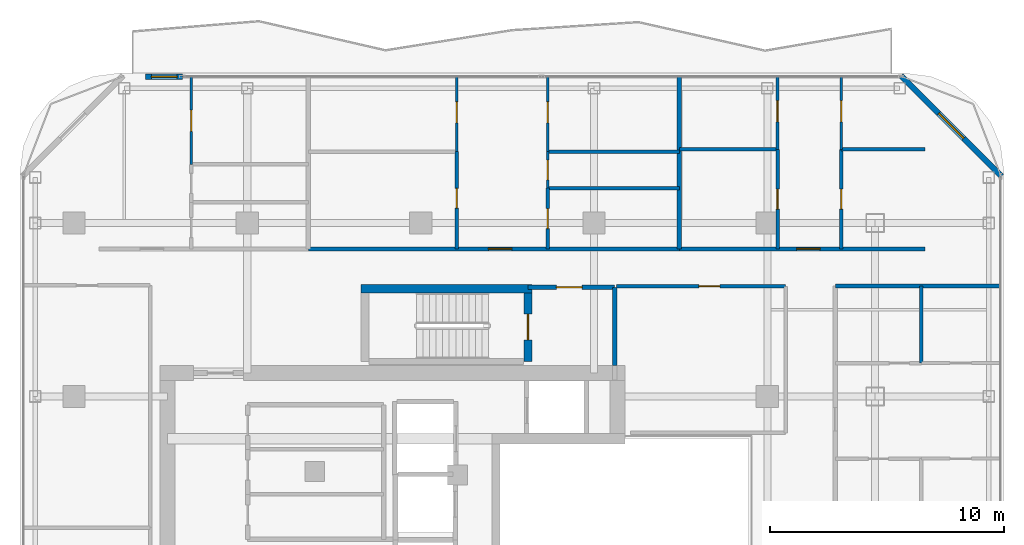
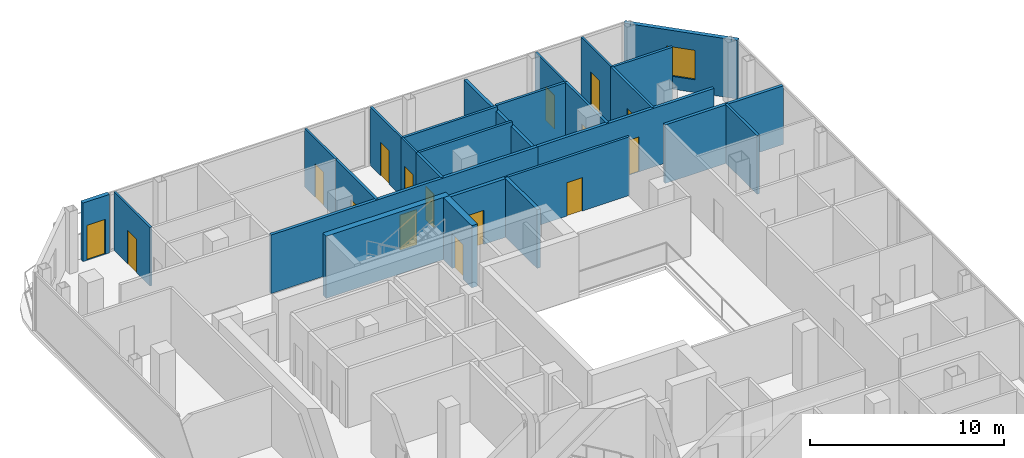
# One storey, part 19 of 23: 26 walls, 16 doors, 1 window, 17 openings.
"""IFC4 building model written with IfcOpenShell, lengths in metres."""

from ifc_helpers import new_model, si_unit, direction, frame, frame_2d, origin, place, context, subcontext, project, spatial, rectangle, extrude, material, layer, layer_set, type_object, element, fill, save


model = new_model("IFC4")

# Units and contexts
model_context = context("Model", 3, precision=1e-05, world=origin(), true_north=direction((0.0, 1.0)))
body_context = subcontext(model_context, "Body", "Model", "MODEL_VIEW")
ifc_project = project(units=[si_unit("LENGTHUNIT", "METRE"), si_unit("AREAUNIT", "SQUARE_METRE"), si_unit("VOLUMEUNIT", "CUBIC_METRE"), si_unit("PLANEANGLEUNIT", "RADIAN"), si_unit("MASSUNIT", "GRAM", prefix="KILO")], contexts=[model_context])

# Site, building, storey
site_placement = place(None, origin())
site = spatial("IfcSite", under=ifc_project, at=site_placement, CompositionType="ELEMENT")
building_placement = place(site_placement, origin())
building = spatial("IfcBuilding", under=site, at=building_placement, Name="Khorvyn Point Tower", CompositionType="ELEMENT")
storey_placement = place(building_placement, frame((0.0, 0.0, 258.60009765625)))
storey = spatial("IfcBuildingStorey", under=building, at=storey_placement, Name="L63", CompositionType="ELEMENT", Elevation=258.60009765625)

# Wall, opening, door
ifc_material_1 = material(Name="Double acoustic gypsum on twin steel stud", Category="steel")
ifc_layer_1 = layer(ifc_material_1, 0.179931640625)
ifc_layer_set_1 = layer_set([ifc_layer_1], Name="Acoustic Double-Stud Apartment Demising Wall 180")
wall_type_1 = type_object("IfcWallType", Name="Acoustic Double-Stud Apartment Demising Wall 180", PredefinedType="PARTITIONING", material=ifc_layer_set_1)
wall_1_placement = place(storey_placement, frame((-4.79296875, 13.699951171875, 0.0), z_axis=(0.0, 0.0, 1.0), x_axis=(1.0, 0.0, 0.0)))
wall_1 = element("IfcWall", 1, at=wall_1_placement, inside=storey, type_object=wall_type_1, Name="Wall", PredefinedType="PARTITIONING", context=body_context, shape_type="SweptSolid", body=[
    extrude(rectangle(XDim=15.8349609375, YDim=0.179931640625, at=frame_2d((7.91748046875, 0.0))), origin(), (0.0, 0.0, 1.0), 3.679931640625),
])
opening_1_placement = place(wall_1_placement, frame((7.686279296875, 0.0, 0.0)))
opening_1 = element("IfcOpeningElement", 2, at=opening_1_placement, cuts=wall_1, Name="Opening ID-AP60", PredefinedType="OPENING", context=body_context, shape_type="SweptSolid", body=[
    extrude(rectangle(XDim=1.0, YDim=2.199951171875, at=frame_2d((0.5, 1.10009765625))), frame((0.0, 0.099853515625, 0.0), z_axis=(0.0, -1.0, 0.0), x_axis=(1.0, 0.0, 0.0)), (0.0, 0.0, 1.0), 0.199951171875),
])
ifc_material_2 = material(Name="Engineered hardwood fire-rated leaf", Category="wood")
door_type_1 = type_object("IfcDoorType", Name="Acoustic Solid-Core Timber Apartment Entrance Door 1000x2200", OperationType="NOTDEFINED", PredefinedType="DOOR", material=ifc_material_2)
door_1_placement = place(opening_1_placement, origin())
door_1 = element("IfcDoor", 3, at=door_1_placement, inside=storey, type_object=door_type_1, Name="Door", OperationType="SINGLE_SWING_LEFT", OverallHeight=2.199951171875, OverallWidth=1.0, PredefinedType="DOOR", context=body_context, shape_type="SweptSolid", body=[
    extrude(rectangle(XDim=1.0, YDim=2.199951171875, at=frame_2d((0.5, 1.10009765625))), frame((0.0, 0.02490234375, 0.0), z_axis=(0.0, -1.0, 0.0), x_axis=(1.0, 0.0, 0.0)), (0.0, 0.0, 1.0), 0.050048828125),
])
fill(opening_1, door_1)

wall_2_placement = place(storey_placement, frame((11.0419921875, 13.699951171875, 0.0), z_axis=(0.0, 0.0, 1.0), x_axis=(1.0, 0.0, 0.0)))
wall_2 = element("IfcWall", 4, at=wall_2_placement, inside=storey, type_object=wall_type_1, Name="Wall", PredefinedType="PARTITIONING", context=body_context, shape_type="SweptSolid", body=[
    extrude(rectangle(XDim=10.47802734375, YDim=0.179931640625, at=frame_2d((5.239013671875, 0.0))), origin(), (0.0, 0.0, 1.0), 3.679931640625),
])
opening_2_placement = place(wall_2_placement, frame((5.00830078125, 0.0, 0.0)))
opening_2 = element("IfcOpeningElement", 5, at=opening_2_placement, cuts=wall_2, Name="Opening ID-AP60", PredefinedType="OPENING", context=body_context, shape_type="SweptSolid", body=[
    extrude(rectangle(XDim=1.0, YDim=2.199951171875, at=frame_2d((0.5, 1.10009765625))), frame((0.0, 0.099853515625, 0.0), z_axis=(0.0, -1.0, 0.0), x_axis=(1.0, 0.0, 0.0)), (0.0, 0.0, 1.0), 0.199951171875),
])
door_2_placement = place(opening_2_placement, origin())
door_2 = element("IfcDoor", 6, at=door_2_placement, inside=storey, type_object=door_type_1, Name="Door", OperationType="SINGLE_SWING_LEFT", OverallHeight=2.199951171875, OverallWidth=1.0, PredefinedType="DOOR", context=body_context, shape_type="SweptSolid", body=[
    extrude(rectangle(XDim=1.0, YDim=2.199951171875, at=frame_2d((0.5, 1.10009765625))), frame((0.0, 0.02490234375, 0.0), z_axis=(0.0, -1.0, 0.0), x_axis=(1.0, 0.0, 0.0)), (0.0, 0.0, 1.0), 0.050048828125),
])
fill(opening_2, door_2)

# Walls
wall_3_placement = place(storey_placement, frame((11.0419921875, 13.699951171875, 0.0), z_axis=(0.0, 0.0, 1.0), x_axis=(0.0, 1.0, 0.0)))
element("IfcWall", 7, at=wall_3_placement, inside=storey, type_object=wall_type_1, Name="Wall", PredefinedType="PARTITIONING", context=body_context, shape_type="SweptSolid", body=[
    extrude(rectangle(XDim=7.330078125, YDim=0.179931640625, at=frame_2d((3.6650390625, 0.0))), origin(), (0.0, 0.0, 1.0), 3.419921875),
])
wall_4_placement = place(storey_placement, frame((17.699951171875, 12.1201171875, 0.0), z_axis=(0.0, 0.0, 1.0), x_axis=(1.0, 0.0, 0.0)))
element("IfcWall", 8, at=wall_4_placement, inside=storey, type_object=wall_type_1, Name="Wall", PredefinedType="PARTITIONING", context=body_context, shape_type="SweptSolid", body=[
    extrude(rectangle(XDim=7.030029296875, YDim=0.179931640625, at=frame_2d((3.51513671875, 0.0))), origin(), (0.0, 0.0, 1.0), 3.679931640625),
])

# Wall, opening, door
ifc_material_3 = material(Name="Pale anodised aluminium rainscreen on steel stud", Category="steel")
ifc_layer_2 = layer(ifc_material_3, 0.239990234375)
ifc_layer_set_2 = layer_set([ifc_layer_2], Name="Anodised Aluminium Insulated Corner Spandrel Wall 240")
wall_type_2 = type_object("IfcWallType", Name="Anodised Aluminium Insulated Corner Spandrel Wall 240", PredefinedType="SOLIDWALL", material=ifc_layer_set_2)
wall_5_placement = place(storey_placement, frame((-11.73388671875, 21.050048828125, 0.0), z_axis=(0.0, 0.0, 1.0), x_axis=(1.0, 0.0, 0.0)))
wall_5 = element("IfcWall", 9, at=wall_5_placement, inside=storey, type_object=wall_type_2, Name="L63 North Outdoor Threshold Wall", PredefinedType="SOLIDWALL", context=body_context, shape_type="SweptSolid", body=[
    extrude(rectangle(XDim=1.579833984375, YDim=0.239990234375, at=frame_2d((0.7900390625, 0.0))), origin(), (0.0, 0.0, 1.0), 3.679931640625),
])
opening_3_placement = place(wall_5_placement, frame((0.239990234375, 0.0, 0.0)))
opening_3 = element("IfcOpeningElement", 10, at=opening_3_placement, cuts=wall_5, Name="Opening BD-1122", PredefinedType="OPENING", context=body_context, shape_type="SweptSolid", body=[
    extrude(rectangle(XDim=1.10009765625, YDim=2.199951171875, at=frame_2d((0.550048828125, 1.10009765625))), frame((0.0, 0.1298828125, 0.0), z_axis=(0.0, -1.0, 0.0), x_axis=(1.0, 0.0, 0.0)), (0.0, 0.0, 1.0), 0.260009765625),
])
ifc_material_4 = material(Name="Anodised aluminium 6063-T6 and laminated Low-E glass", Category="aluminium")
door_type_2 = type_object("IfcDoorType", Name="Glazed Balcony and Terrace Threshold Door 1100x2200", OperationType="NOTDEFINED", PredefinedType="DOOR", material=ifc_material_4)
door_3_placement = place(opening_3_placement, origin())
door_3 = element("IfcDoor", 11, at=door_3_placement, inside=storey, type_object=door_type_2, Name="L63 North Glazed Balcony Outdoor Door", OperationType="SINGLE_SWING_LEFT", OverallHeight=2.199951171875, OverallWidth=1.10009765625, PredefinedType="DOOR", context=body_context, shape_type="SweptSolid", body=[
    extrude(rectangle(XDim=1.10009765625, YDim=2.199951171875, at=frame_2d((0.550048828125, 1.10009765625))), frame((0.0, 0.02490234375, 0.0), z_axis=(0.0, -1.0, 0.0), x_axis=(1.0, 0.0, 0.0)), (0.0, 0.0, 1.0), 0.050048828125),
])
fill(opening_3, door_3)

# Wall, opening, window
wall_6_placement = place(storey_placement, frame((20.507568359375, 21.09228515625, 0.0), z_axis=(0.0, 0.0, 1.0), x_axis=(0.707126925818, -0.707086635981, 0.0)))
wall_6 = element("IfcWall", 12, at=wall_6_placement, inside=storey, type_object=wall_type_2, Name="L63 Rounded Corner Wall NE", PredefinedType="SOLIDWALL", context=body_context, shape_type="SweptSolid", body=[
    extrude(rectangle(XDim=6.0595703125, YDim=0.239990234375, at=frame_2d((3.02978515625, 0.0))), origin(), (0.0, 0.0, 1.0), 3.679931640625),
])
opening_4_placement = place(wall_6_placement, frame((2.27978515625, 0.0, 0.800048828125)))
opening_4 = element("IfcOpeningElement", 13, at=opening_4_placement, cuts=wall_6, Name="Opening WN-1518", PredefinedType="OPENING", context=body_context, shape_type="SweptSolid", body=[
    extrude(rectangle(XDim=1.5, YDim=1.85009765625, at=frame_2d((0.75, 0.925048828125))), frame((0.0, 0.1298828125, 0.0), z_axis=(0.0, -1.0, 0.0), x_axis=(1.0, 0.0, 0.0)), (0.0, 0.0, 1.0), 0.260009765625),
])
window_type = type_object("IfcWindowType", Name="Anodised Aluminium Rounded-Corner Panoramic Window 1500x1850", PartitioningType="SINGLE_PANEL", PredefinedType="WINDOW", material=ifc_material_4)
window_placement = place(opening_4_placement, origin())
window = element("IfcWindow", 14, at=window_placement, inside=storey, type_object=window_type, Name="L63 Corner Panoramic Window NE", OverallHeight=1.85009765625, OverallWidth=1.5, PartitioningType="SINGLE_PANEL", PredefinedType="WINDOW", context=body_context, shape_type="SweptSolid", body=[
    extrude(rectangle(XDim=1.5, YDim=1.85009765625, at=frame_2d((0.75, 0.925048828125))), frame((0.0, 0.030029296875, 0.0), z_axis=(0.0, -1.0, 0.0), x_axis=(1.0, 0.0, 0.0)), (0.0, 0.0, 1.0), 0.06005859375),
])
fill(opening_4, window)

# Wall, opening, door
ifc_material_5 = material(Name="Concrete C40/50", Category="concrete")
ifc_layer_3 = layer(ifc_material_5, 0.199951171875)
ifc_layer_set_3 = layer_set([ifc_layer_3], Name="Concrete C40/50 Fire-Lobby Compartment Wall 200")
wall_type_3 = type_object("IfcWallType", Name="Concrete C40/50 Fire-Lobby Compartment Wall 200", PredefinedType="SOLIDWALL", material=ifc_layer_set_3)
wall_7_placement = place(storey_placement, frame((4.580078125, 12.06005859375, 0.0), z_axis=(0.0, 0.0, 1.0), x_axis=(1.0, 0.0, 0.0)))
wall_7 = element("IfcWall", 15, at=wall_7_placement, inside=storey, type_object=wall_type_3, Name="Wall", PredefinedType="SOLIDWALL", context=body_context, shape_type="SweptSolid", body=[
    extrude(rectangle(XDim=3.699951171875, YDim=0.199951171875, at=frame_2d((1.85009765625, 0.0))), origin(), (0.0, 0.0, 1.0), 3.679931640625),
])
opening_5_placement = place(wall_7_placement, frame((1.21240234375, 0.0, 0.0)))
opening_5 = element("IfcOpeningElement", 16, at=opening_5_placement, cuts=wall_7, Name="Opening ID-FL90", PredefinedType="OPENING", context=body_context, shape_type="SweptSolid", body=[
    extrude(rectangle(XDim=1.10009765625, YDim=2.14990234375, at=frame_2d((0.550048828125, 1.074951171875))), frame((0.0, 0.10986328125, 0.0), z_axis=(0.0, -1.0, 0.0), x_axis=(1.0, 0.0, 0.0)), (0.0, 0.0, 1.0), 0.219970703125),
])
ifc_material_6 = material(Name="Galvanised powder-coated steel", Category="steel")
door_type_3 = type_object("IfcDoorType", Name="Fire-Rated Steel Lobby and Stair Door 1100x2150", OperationType="NOTDEFINED", PredefinedType="DOOR", material=ifc_material_6)
door_4_placement = place(opening_5_placement, origin())
door_4 = element("IfcDoor", 17, at=door_4_placement, inside=storey, type_object=door_type_3, Name="Door", OperationType="SINGLE_SWING_LEFT", OverallHeight=2.14990234375, OverallWidth=1.10009765625, PredefinedType="DOOR", context=body_context, shape_type="SweptSolid", body=[
    extrude(rectangle(XDim=1.10009765625, YDim=2.14990234375, at=frame_2d((0.550048828125, 1.074951171875))), frame((0.0, 0.02490234375, 0.0), z_axis=(0.0, -1.0, 0.0), x_axis=(1.0, 0.0, 0.0)), (0.0, 0.0, 1.0), 0.050048828125),
])
fill(opening_5, door_4)

# Walls
wall_8_placement = place(storey_placement, frame((8.280029296875, 8.72509765625, 0.0), z_axis=(0.0, 0.0, 1.0), x_axis=(0.0, 1.0, 0.0)))
element("IfcWall", 18, at=wall_8_placement, inside=storey, type_object=wall_type_3, Name="Wall", PredefinedType="SOLIDWALL", context=body_context, shape_type="SweptSolid", body=[
    extrude(rectangle(XDim=3.3349609375, YDim=0.199951171875, at=frame_2d((1.66748046875, 0.0))), origin(), (0.0, 0.0, 1.0), 3.679931640625),
])
ifc_layer_4 = layer(ifc_material_5, 0.35009765625)
ifc_layer_set_4 = layer_set([ifc_layer_4], Name="Concrete C40/50 Stair Shaft Structural Wall 350")
wall_type_4 = type_object("IfcWallType", Name="Concrete C40/50 Stair Shaft Structural Wall 350", PredefinedType="SHEAR", material=ifc_layer_set_4)
wall_9_placement = place(storey_placement, frame((-2.554931640625, 12.0, 0.0), z_axis=(0.0, 0.0, 1.0), x_axis=(1.0, 0.0, 0.0)))
element("IfcWall", 19, at=wall_9_placement, inside=storey, type_object=wall_type_4, Name="L63 ST-02 North Shaft Wall", PredefinedType="SHEAR", context=body_context, shape_type="SweptSolid", body=[
    extrude(rectangle(XDim=7.309814453125, YDim=0.35009765625, at=frame_2d((3.65478515625, 0.0))), origin(), (0.0, 0.0, 1.0), 3.89990234375),
])

# Wall, opening, door
wall_10_placement = place(storey_placement, frame((4.580078125, 11.824951171875, 0.0), z_axis=(0.0, 0.0, 1.0), x_axis=(0.0, -1.0, 0.0)))
wall_10 = element("IfcWall", 20, at=wall_10_placement, inside=storey, type_object=wall_type_4, Name="L63 ST-02 East Landing Door Wall", PredefinedType="SHEAR", context=body_context, shape_type="SweptSolid", body=[
    extrude(rectangle(XDim=2.925048828125, YDim=0.35009765625, at=frame_2d((1.46240234375, 0.0))), origin(), (0.0, 0.0, 1.0), 3.89990234375),
])
opening_6_placement = place(wall_10_placement, frame((0.91259765625, 0.0, 0.0)))
opening_6 = element("IfcOpeningElement", 21, at=opening_6_placement, cuts=wall_10, Name="Opening ID-FL90", PredefinedType="OPENING", context=body_context, shape_type="SweptSolid", body=[
    extrude(rectangle(XDim=1.10009765625, YDim=2.14990234375, at=frame_2d((0.550048828125, 1.074951171875))), frame((0.0, 0.18505859375, 0.0), z_axis=(0.0, -1.0, 0.0), x_axis=(1.0, 0.0, 0.0)), (0.0, 0.0, 1.0), 0.3701171875),
])
door_5_placement = place(opening_6_placement, origin())
door_5 = element("IfcDoor", 22, at=door_5_placement, inside=storey, type_object=door_type_3, Name="L63 ST-02 Smokeproof Landing Door", OperationType="SINGLE_SWING_RIGHT", OverallHeight=2.14990234375, OverallWidth=1.10009765625, PredefinedType="DOOR", context=body_context, shape_type="SweptSolid", body=[
    extrude(rectangle(XDim=1.10009765625, YDim=2.14990234375, at=frame_2d((0.550048828125, 1.074951171875))), frame((0.0, 0.02490234375, 0.0), z_axis=(0.0, -1.0, 0.0), x_axis=(1.0, 0.0, 0.0)), (0.0, 0.0, 1.0), 0.050048828125),
])
fill(opening_6, door_5)

ifc_material_7 = material(Name="Gypsum plasterboard on steel stud", Category="steel")
ifc_layer_5 = layer(ifc_material_7, 0.1201171875)
ifc_layer_set_5 = layer_set([ifc_layer_5], Name="Gypsum Acoustic Stud Room Partition Wall 120")
wall_type_5 = type_object("IfcWallType", Name="Gypsum Acoustic Stud Room Partition Wall 120", PredefinedType="PARTITIONING", material=ifc_layer_set_5)
wall_11_placement = place(storey_placement, frame((-9.7919921875, 17.303955078125, 0.0), z_axis=(0.0, 0.0, 1.0), x_axis=(0.0, 1.0, 0.0)))
wall_11 = element("IfcWall", 23, at=wall_11_placement, inside=storey, type_object=wall_type_5, Name="Wall", PredefinedType="PARTITIONING", context=body_context, shape_type="SweptSolid", body=[
    extrude(rectangle(XDim=3.72607421875, YDim=0.1201171875, at=frame_2d((1.863037109375, 0.0))), origin(), (0.0, 0.0, 1.0), 3.679931640625),
])
opening_7_placement = place(wall_11_placement, frame((1.4130859375, 0.0, 0.0)))
opening_7 = element("IfcOpeningElement", 24, at=opening_7_placement, cuts=wall_11, Name="Opening ID-RM90", PredefinedType="OPENING", context=body_context, shape_type="SweptSolid", body=[
    extrude(rectangle(XDim=0.89990234375, YDim=2.10009765625, at=frame_2d((0.449951171875, 1.050048828125))), frame((0.0, 0.070068359375, 0.0), z_axis=(0.0, -1.0, 0.0), x_axis=(1.0, 0.0, 0.0)), (0.0, 0.0, 1.0), 0.14013671875),
])
ifc_material_8 = material(Name="Engineered oak veneer timber", Category="wood")
door_type_4 = type_object("IfcDoorType", Name="Flush Engineered Timber Room Door 900x2100", OperationType="NOTDEFINED", PredefinedType="DOOR", material=ifc_material_8)
door_6_placement = place(opening_7_placement, origin())
door_6 = element("IfcDoor", 25, at=door_6_placement, inside=storey, type_object=door_type_4, Name="Door", OperationType="SINGLE_SWING_RIGHT", OverallHeight=2.10009765625, OverallWidth=0.89990234375, PredefinedType="DOOR", context=body_context, shape_type="SweptSolid", body=[
    extrude(rectangle(XDim=0.89990234375, YDim=2.10009765625, at=frame_2d((0.449951171875, 1.050048828125))), frame((0.0, 0.02490234375, 0.0), z_axis=(0.0, -1.0, 0.0), x_axis=(1.0, 0.0, 0.0)), (0.0, 0.0, 1.0), 0.050048828125),
])
fill(opening_7, door_6)

wall_12_placement = place(storey_placement, frame((1.541015625, 17.846923828125, 0.0), z_axis=(0.0, 0.0, 1.0), x_axis=(0.0, 1.0, 0.0)))
wall_12 = element("IfcWall", 26, at=wall_12_placement, inside=storey, type_object=wall_type_5, Name="Wall", PredefinedType="PARTITIONING", context=body_context, shape_type="SweptSolid", body=[
    extrude(rectangle(XDim=3.18310546875, YDim=0.1201171875, at=frame_2d((1.591552734375, 0.0))), origin(), (0.0, 0.0, 1.0), 3.679931640625),
])
opening_8_placement = place(wall_12_placement, frame((1.230712890625, 0.0, 0.0)))
opening_8 = element("IfcOpeningElement", 27, at=opening_8_placement, cuts=wall_12, Name="Opening ID-RM90", PredefinedType="OPENING", context=body_context, shape_type="SweptSolid", body=[
    extrude(rectangle(XDim=0.89990234375, YDim=2.10009765625, at=frame_2d((0.449951171875, 1.050048828125))), frame((0.0, 0.070068359375, 0.0), z_axis=(0.0, -1.0, 0.0), x_axis=(1.0, 0.0, 0.0)), (0.0, 0.0, 1.0), 0.14013671875),
])
door_7_placement = place(opening_8_placement, origin())
door_7 = element("IfcDoor", 28, at=door_7_placement, inside=storey, type_object=door_type_4, Name="Door", OperationType="SINGLE_SWING_LEFT", OverallHeight=2.10009765625, OverallWidth=0.89990234375, PredefinedType="DOOR", context=body_context, shape_type="SweptSolid", body=[
    extrude(rectangle(XDim=0.89990234375, YDim=2.10009765625, at=frame_2d((0.449951171875, 1.050048828125))), frame((0.0, 0.02490234375, 0.0), z_axis=(0.0, -1.0, 0.0), x_axis=(1.0, 0.0, 0.0)), (0.0, 0.0, 1.0), 0.050048828125),
])
fill(opening_8, door_7)

wall_13_placement = place(storey_placement, frame((5.428955078125, 16.2880859375, 0.0), z_axis=(0.0, 0.0, 1.0), x_axis=(0.0, 1.0, 0.0)))
wall_13 = element("IfcWall", 29, at=wall_13_placement, inside=storey, type_object=wall_type_5, Name="Wall", PredefinedType="PARTITIONING", context=body_context, shape_type="SweptSolid", body=[
    extrude(rectangle(XDim=1.558837890625, YDim=0.1201171875, at=frame_2d((0.779296875, 0.0))), origin(), (0.0, 0.0, 1.0), 3.679931640625),
])
opening_9_placement = place(wall_13_placement, frame((0.3544921875, 0.0, 0.0)))
opening_9 = element("IfcOpeningElement", 30, at=opening_9_placement, cuts=wall_13, Name="Opening ID-WC85", PredefinedType="OPENING", context=body_context, shape_type="SweptSolid", body=[
    extrude(rectangle(XDim=0.85009765625, YDim=2.10009765625, at=frame_2d((0.425048828125, 1.050048828125))), frame((0.0, 0.070068359375, 0.0), z_axis=(0.0, -1.0, 0.0), x_axis=(1.0, 0.0, 0.0)), (0.0, 0.0, 1.0), 0.14013671875),
])
ifc_material_9 = material(Name="High-pressure laminate on moisture-resistant core", Category="wood")
door_type_5 = type_object("IfcDoorType", Name="Moisture-Resistant Accessible Washroom Door 850x2100", OperationType="NOTDEFINED", PredefinedType="DOOR", material=ifc_material_9)
door_8_placement = place(opening_9_placement, origin())
door_8 = element("IfcDoor", 31, at=door_8_placement, inside=storey, type_object=door_type_5, Name="Door", OperationType="SINGLE_SWING_LEFT", OverallHeight=2.10009765625, OverallWidth=0.85009765625, PredefinedType="DOOR", context=body_context, shape_type="SweptSolid", body=[
    extrude(rectangle(XDim=0.85009765625, YDim=2.10009765625, at=frame_2d((0.425048828125, 1.050048828125))), frame((0.0, 0.02490234375, 0.0), z_axis=(0.0, -1.0, 0.0), x_axis=(1.0, 0.0, 0.0)), (0.0, 0.0, 1.0), 0.050048828125),
])
fill(opening_9, door_8)

wall_14_placement = place(storey_placement, frame((5.428955078125, 17.846923828125, 0.0), z_axis=(0.0, 0.0, 1.0), x_axis=(0.0, 1.0, 0.0)))
wall_14 = element("IfcWall", 32, at=wall_14_placement, inside=storey, type_object=wall_type_5, Name="Wall", PredefinedType="PARTITIONING", context=body_context, shape_type="SweptSolid", body=[
    extrude(rectangle(XDim=3.18310546875, YDim=0.1201171875, at=frame_2d((1.591552734375, 0.0))), origin(), (0.0, 0.0, 1.0), 3.679931640625),
])
opening_10_placement = place(wall_14_placement, frame((1.230712890625, 0.0, 0.0)))
opening_10 = element("IfcOpeningElement", 33, at=opening_10_placement, cuts=wall_14, Name="Opening ID-RM90", PredefinedType="OPENING", context=body_context, shape_type="SweptSolid", body=[
    extrude(rectangle(XDim=0.89990234375, YDim=2.10009765625, at=frame_2d((0.449951171875, 1.050048828125))), frame((0.0, 0.070068359375, 0.0), z_axis=(0.0, -1.0, 0.0), x_axis=(1.0, 0.0, 0.0)), (0.0, 0.0, 1.0), 0.14013671875),
])
door_9_placement = place(opening_10_placement, origin())
door_9 = element("IfcDoor", 34, at=door_9_placement, inside=storey, type_object=door_type_4, Name="Door", OperationType="SINGLE_SWING_RIGHT", OverallHeight=2.10009765625, OverallWidth=0.89990234375, PredefinedType="DOOR", context=body_context, shape_type="SweptSolid", body=[
    extrude(rectangle(XDim=0.89990234375, YDim=2.10009765625, at=frame_2d((0.449951171875, 1.050048828125))), frame((0.0, 0.02490234375, 0.0), z_axis=(0.0, -1.0, 0.0), x_axis=(1.0, 0.0, 0.0)), (0.0, 0.0, 1.0), 0.050048828125),
])
fill(opening_10, door_9)

wall_15_placement = place(storey_placement, frame((15.23291015625, 17.949951171875, 0.0), z_axis=(0.0, 0.0, 1.0), x_axis=(0.0, 1.0, 0.0)))
wall_15 = element("IfcWall", 35, at=wall_15_placement, inside=storey, type_object=wall_type_5, Name="Wall", PredefinedType="PARTITIONING", context=body_context, shape_type="SweptSolid", body=[
    extrude(rectangle(XDim=3.080078125, YDim=0.1201171875, at=frame_2d((1.5400390625, 0.0))), origin(), (0.0, 0.0, 1.0), 3.679931640625),
])
opening_11_placement = place(wall_15_placement, frame((1.174560546875, 0.0, 0.0)))
opening_11 = element("IfcOpeningElement", 36, at=opening_11_placement, cuts=wall_15, Name="Opening ID-RM90", PredefinedType="OPENING", context=body_context, shape_type="SweptSolid", body=[
    extrude(rectangle(XDim=0.89990234375, YDim=2.10009765625, at=frame_2d((0.449951171875, 1.050048828125))), frame((0.0, 0.070068359375, 0.0), z_axis=(0.0, -1.0, 0.0), x_axis=(1.0, 0.0, 0.0)), (0.0, 0.0, 1.0), 0.14013671875),
])
door_10_placement = place(opening_11_placement, origin())
door_10 = element("IfcDoor", 37, at=door_10_placement, inside=storey, type_object=door_type_4, Name="Door", OperationType="SINGLE_SWING_LEFT", OverallHeight=2.10009765625, OverallWidth=0.89990234375, PredefinedType="DOOR", context=body_context, shape_type="SweptSolid", body=[
    extrude(rectangle(XDim=0.89990234375, YDim=2.10009765625, at=frame_2d((0.449951171875, 1.050048828125))), frame((0.0, 0.02490234375, 0.0), z_axis=(0.0, -1.0, 0.0), x_axis=(1.0, 0.0, 0.0)), (0.0, 0.0, 1.0), 0.050048828125),
])
fill(opening_11, door_10)

wall_16_placement = place(storey_placement, frame((17.949951171875, 17.949951171875, 0.0), z_axis=(0.0, 0.0, 1.0), x_axis=(0.0, 1.0, 0.0)))
wall_16 = element("IfcWall", 38, at=wall_16_placement, inside=storey, type_object=wall_type_5, Name="Wall", PredefinedType="PARTITIONING", context=body_context, shape_type="SweptSolid", body=[
    extrude(rectangle(XDim=3.080078125, YDim=0.1201171875, at=frame_2d((1.5400390625, 0.0))), origin(), (0.0, 0.0, 1.0), 3.679931640625),
])
opening_12_placement = place(wall_16_placement, frame((1.174560546875, 0.0, 0.0)))
opening_12 = element("IfcOpeningElement", 39, at=opening_12_placement, cuts=wall_16, Name="Opening ID-RM90", PredefinedType="OPENING", context=body_context, shape_type="SweptSolid", body=[
    extrude(rectangle(XDim=0.89990234375, YDim=2.10009765625, at=frame_2d((0.449951171875, 1.050048828125))), frame((0.0, 0.070068359375, 0.0), z_axis=(0.0, -1.0, 0.0), x_axis=(1.0, 0.0, 0.0)), (0.0, 0.0, 1.0), 0.14013671875),
])
door_11_placement = place(opening_12_placement, origin())
door_11 = element("IfcDoor", 40, at=door_11_placement, inside=storey, type_object=door_type_4, Name="Door", OperationType="SINGLE_SWING_LEFT", OverallHeight=2.10009765625, OverallWidth=0.89990234375, PredefinedType="DOOR", context=body_context, shape_type="SweptSolid", body=[
    extrude(rectangle(XDim=0.89990234375, YDim=2.10009765625, at=frame_2d((0.449951171875, 1.050048828125))), frame((0.0, 0.02490234375, 0.0), z_axis=(0.0, -1.0, 0.0), x_axis=(1.0, 0.0, 0.0)), (0.0, 0.0, 1.0), 0.050048828125),
])
fill(opening_12, door_11)

ifc_material_10 = material(Name="Moisture-resistant gypsum and cement board", Category="gypsum")
ifc_layer_6 = layer(ifc_material_10, 0.14990234375)
ifc_layer_set_6 = layer_set([ifc_layer_6], Name="Moisture-Resistant Wet-Room Partition Wall 150")
wall_type_6 = type_object("IfcWallType", Name="Moisture-Resistant Wet-Room Partition Wall 150", PredefinedType="PARTITIONING", material=ifc_layer_set_6)
wall_17_placement = place(storey_placement, frame((8.360107421875, 12.10009765625, 0.0), z_axis=(0.0, 0.0, 1.0), x_axis=(1.0, 0.0, 0.0)))
wall_17 = element("IfcWall", 41, at=wall_17_placement, inside=storey, type_object=wall_type_6, Name="Wall", PredefinedType="PARTITIONING", context=body_context, shape_type="SweptSolid", body=[
    extrude(rectangle(XDim=7.219970703125, YDim=0.14990234375, at=frame_2d((3.60986328125, 0.0))), origin(), (0.0, 0.0, 1.0), 3.679931640625),
])
opening_13_placement = place(wall_17_placement, frame((3.512939453125, 0.0, 0.0)))
opening_13 = element("IfcOpeningElement", 42, at=opening_13_placement, cuts=wall_17, Name="Opening ID-RM90", PredefinedType="OPENING", context=body_context, shape_type="SweptSolid", body=[
    extrude(rectangle(XDim=0.89990234375, YDim=2.10009765625, at=frame_2d((0.449951171875, 1.050048828125))), frame((0.0, 0.0849609375, 0.0), z_axis=(0.0, -1.0, 0.0), x_axis=(1.0, 0.0, 0.0)), (0.0, 0.0, 1.0), 0.169921875),
])
door_12_placement = place(opening_13_placement, origin())
door_12 = element("IfcDoor", 43, at=door_12_placement, inside=storey, type_object=door_type_4, Name="Door", OperationType="SINGLE_SWING_RIGHT", OverallHeight=2.10009765625, OverallWidth=0.89990234375, PredefinedType="DOOR", context=body_context, shape_type="SweptSolid", body=[
    extrude(rectangle(XDim=0.89990234375, YDim=2.10009765625, at=frame_2d((0.449951171875, 1.050048828125))), frame((0.0, 0.02490234375, 0.0), z_axis=(0.0, -1.0, 0.0), x_axis=(1.0, 0.0, 0.0)), (0.0, 0.0, 1.0), 0.050048828125),
])
fill(opening_13, door_12)

wall_18_placement = place(storey_placement, frame((1.541015625, 13.699951171875, 0.0), z_axis=(0.0, 0.0, 1.0), x_axis=(0.0, 1.0, 0.0)))
wall_18 = element("IfcWall", 44, at=wall_18_placement, inside=storey, type_object=wall_type_6, Name="Wall", PredefinedType="PARTITIONING", context=body_context, shape_type="SweptSolid", body=[
    extrude(rectangle(XDim=4.14697265625, YDim=0.14990234375, at=frame_2d((2.073486328125, 0.0))), origin(), (0.0, 0.0, 1.0), 3.679931640625),
])
opening_14_placement = place(wall_18_placement, frame((1.736083984375, 0.0, 0.0)))
opening_14 = element("IfcOpeningElement", 45, at=opening_14_placement, cuts=wall_18, Name="Opening ID-WC85", PredefinedType="OPENING", context=body_context, shape_type="SweptSolid", body=[
    extrude(rectangle(XDim=0.85009765625, YDim=2.10009765625, at=frame_2d((0.425048828125, 1.050048828125))), frame((0.0, 0.0849609375, 0.0), z_axis=(0.0, -1.0, 0.0), x_axis=(1.0, 0.0, 0.0)), (0.0, 0.0, 1.0), 0.169921875),
])
door_13_placement = place(opening_14_placement, origin())
door_13 = element("IfcDoor", 46, at=door_13_placement, inside=storey, type_object=door_type_5, Name="Door", OperationType="SINGLE_SWING_RIGHT", OverallHeight=2.10009765625, OverallWidth=0.85009765625, PredefinedType="DOOR", context=body_context, shape_type="SweptSolid", body=[
    extrude(rectangle(XDim=0.85009765625, YDim=2.10009765625, at=frame_2d((0.425048828125, 1.050048828125))), frame((0.0, 0.02490234375, 0.0), z_axis=(0.0, -1.0, 0.0), x_axis=(1.0, 0.0, 0.0)), (0.0, 0.0, 1.0), 0.050048828125),
])
fill(opening_14, door_13)

wall_19_placement = place(storey_placement, frame((5.428955078125, 13.699951171875, 0.0), z_axis=(0.0, 0.0, 1.0), x_axis=(0.0, 1.0, 0.0)))
wall_19 = element("IfcWall", 47, at=wall_19_placement, inside=storey, type_object=wall_type_6, Name="Wall", PredefinedType="PARTITIONING", context=body_context, shape_type="SweptSolid", body=[
    extrude(rectangle(XDim=2.588134765625, YDim=0.14990234375, at=frame_2d((1.2939453125, 0.0))), origin(), (0.0, 0.0, 1.0), 3.679931640625),
])
opening_15_placement = place(wall_19_placement, frame((0.868896484375, 0.0, 0.0)))
opening_15 = element("IfcOpeningElement", 48, at=opening_15_placement, cuts=wall_19, Name="Opening ID-WC85", PredefinedType="OPENING", context=body_context, shape_type="SweptSolid", body=[
    extrude(rectangle(XDim=0.85009765625, YDim=2.10009765625, at=frame_2d((0.425048828125, 1.050048828125))), frame((0.0, 0.0849609375, 0.0), z_axis=(0.0, -1.0, 0.0), x_axis=(1.0, 0.0, 0.0)), (0.0, 0.0, 1.0), 0.169921875),
])
door_14_placement = place(opening_15_placement, origin())
door_14 = element("IfcDoor", 49, at=door_14_placement, inside=storey, type_object=door_type_5, Name="Door", OperationType="SINGLE_SWING_RIGHT", OverallHeight=2.10009765625, OverallWidth=0.85009765625, PredefinedType="DOOR", context=body_context, shape_type="SweptSolid", body=[
    extrude(rectangle(XDim=0.85009765625, YDim=2.10009765625, at=frame_2d((0.425048828125, 1.050048828125))), frame((0.0, 0.02490234375, 0.0), z_axis=(0.0, -1.0, 0.0), x_axis=(1.0, 0.0, 0.0)), (0.0, 0.0, 1.0), 0.050048828125),
])
fill(opening_15, door_14)

wall_20_placement = place(storey_placement, frame((15.23291015625, 13.699951171875, 0.0), z_axis=(0.0, 0.0, 1.0), x_axis=(0.0, 1.0, 0.0)))
wall_20 = element("IfcWall", 50, at=wall_20_placement, inside=storey, type_object=wall_type_6, Name="Wall", PredefinedType="PARTITIONING", context=body_context, shape_type="SweptSolid", body=[
    extrude(rectangle(XDim=4.25, YDim=0.14990234375, at=frame_2d((2.125, 0.0))), origin(), (0.0, 0.0, 1.0), 3.679931640625),
])
opening_16_placement = place(wall_20_placement, frame((1.699951171875, 0.0, 0.0)))
opening_16 = element("IfcOpeningElement", 51, at=opening_16_placement, cuts=wall_20, Name="Opening ID-WC85", PredefinedType="OPENING", context=body_context, shape_type="SweptSolid", body=[
    extrude(rectangle(XDim=0.85009765625, YDim=2.10009765625, at=frame_2d((0.425048828125, 1.050048828125))), frame((0.0, 0.0849609375, 0.0), z_axis=(0.0, -1.0, 0.0), x_axis=(1.0, 0.0, 0.0)), (0.0, 0.0, 1.0), 0.169921875),
])
door_15_placement = place(opening_16_placement, origin())
door_15 = element("IfcDoor", 52, at=door_15_placement, inside=storey, type_object=door_type_5, Name="Door", OperationType="SINGLE_SWING_RIGHT", OverallHeight=2.10009765625, OverallWidth=0.85009765625, PredefinedType="DOOR", context=body_context, shape_type="SweptSolid", body=[
    extrude(rectangle(XDim=0.85009765625, YDim=2.10009765625, at=frame_2d((0.425048828125, 1.050048828125))), frame((0.0, 0.02490234375, 0.0), z_axis=(0.0, -1.0, 0.0), x_axis=(1.0, 0.0, 0.0)), (0.0, 0.0, 1.0), 0.050048828125),
])
fill(opening_16, door_15)

wall_21_placement = place(storey_placement, frame((17.949951171875, 13.699951171875, 0.0), z_axis=(0.0, 0.0, 1.0), x_axis=(0.0, 1.0, 0.0)))
wall_21 = element("IfcWall", 53, at=wall_21_placement, inside=storey, type_object=wall_type_6, Name="Wall", PredefinedType="PARTITIONING", context=body_context, shape_type="SweptSolid", body=[
    extrude(rectangle(XDim=4.25, YDim=0.14990234375, at=frame_2d((2.125, 0.0))), origin(), (0.0, 0.0, 1.0), 3.679931640625),
])
opening_17_placement = place(wall_21_placement, frame((1.699951171875, 0.0, 0.0)))
opening_17 = element("IfcOpeningElement", 54, at=opening_17_placement, cuts=wall_21, Name="Opening ID-WC85", PredefinedType="OPENING", context=body_context, shape_type="SweptSolid", body=[
    extrude(rectangle(XDim=0.85009765625, YDim=2.10009765625, at=frame_2d((0.425048828125, 1.050048828125))), frame((0.0, 0.0849609375, 0.0), z_axis=(0.0, -1.0, 0.0), x_axis=(1.0, 0.0, 0.0)), (0.0, 0.0, 1.0), 0.169921875),
])
door_16_placement = place(opening_17_placement, origin())
door_16 = element("IfcDoor", 55, at=door_16_placement, inside=storey, type_object=door_type_5, Name="Door", OperationType="SINGLE_SWING_RIGHT", OverallHeight=2.10009765625, OverallWidth=0.85009765625, PredefinedType="DOOR", context=body_context, shape_type="SweptSolid", body=[
    extrude(rectangle(XDim=0.85009765625, YDim=2.10009765625, at=frame_2d((0.425048828125, 1.050048828125))), frame((0.0, 0.02490234375, 0.0), z_axis=(0.0, -1.0, 0.0), x_axis=(1.0, 0.0, 0.0)), (0.0, 0.0, 1.0), 0.050048828125),
])
fill(opening_17, door_16)

# Walls
for number, where, z_axis, x_axis, name in (
    (56, (5.428955078125, 16.2880859375, 0.0), (0.0, 0.0, 1.0), (1.0, 0.0, 0.0), "Wall"),
    (57, (5.428955078125, 17.846923828125, 0.0), (0.0, 0.0, 1.0), (1.0, 0.0, 0.0), "Wall"),
):
    element("IfcWall", number, at=place(storey_placement, frame(where, z_axis=z_axis, x_axis=x_axis)), inside=storey, type_object=wall_type_6, Name=name, PredefinedType="PARTITIONING", context=body_context, shape_type="SweptSolid", body=[
        extrude(rectangle(XDim=5.613037109375, YDim=0.14990234375, at=frame_2d((2.806640625, 0.0))), origin(), (0.0, 0.0, 1.0), 3.679931640625),
    ])
wall_22_placement = place(storey_placement, frame((11.0419921875, 17.949951171875, 0.0), z_axis=(0.0, 0.0, 1.0), x_axis=(1.0, 0.0, 0.0)))
element("IfcWall", 58, at=wall_22_placement, inside=storey, type_object=wall_type_6, Name="Wall", PredefinedType="PARTITIONING", context=body_context, shape_type="SweptSolid", body=[
    extrude(rectangle(XDim=4.19091796875, YDim=0.14990234375, at=frame_2d((2.095458984375, 0.0))), origin(), (0.0, 0.0, 1.0), 3.679931640625),
])
wall_23_placement = place(storey_placement, frame((17.949951171875, 17.949951171875, 0.0), z_axis=(0.0, 0.0, 1.0), x_axis=(1.0, 0.0, 0.0)))
element("IfcWall", 59, at=wall_23_placement, inside=storey, type_object=wall_type_6, Name="Wall", PredefinedType="PARTITIONING", context=body_context, shape_type="SweptSolid", body=[
    extrude(rectangle(XDim=3.570068359375, YDim=0.14990234375, at=frame_2d((1.78515625, 0.0))), origin(), (0.0, 0.0, 1.0), 3.679931640625),
])
wall_24_placement = place(storey_placement, frame((21.376953125, 8.827880859375, 0.0), z_axis=(0.0, 0.0, 1.0), x_axis=(0.0, 1.0, 0.0)))
element("IfcWall", 60, at=wall_24_placement, inside=storey, type_object=wall_type_6, Name="Wall", PredefinedType="PARTITIONING", context=body_context, shape_type="SweptSolid", body=[
    extrude(rectangle(XDim=3.292236328125, YDim=0.14990234375, at=frame_2d((1.64599609375, 0.0))), origin(), (0.0, 0.0, 1.0), 3.679931640625),
])

save(model, "model.ifc")
